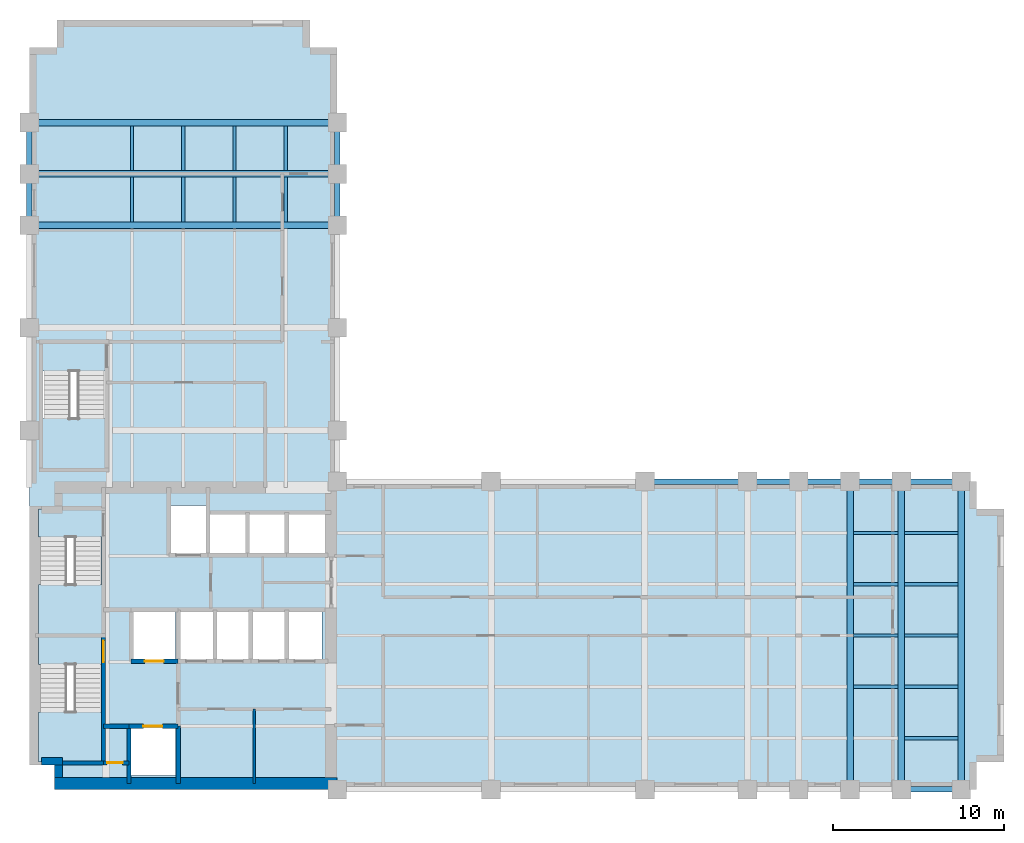
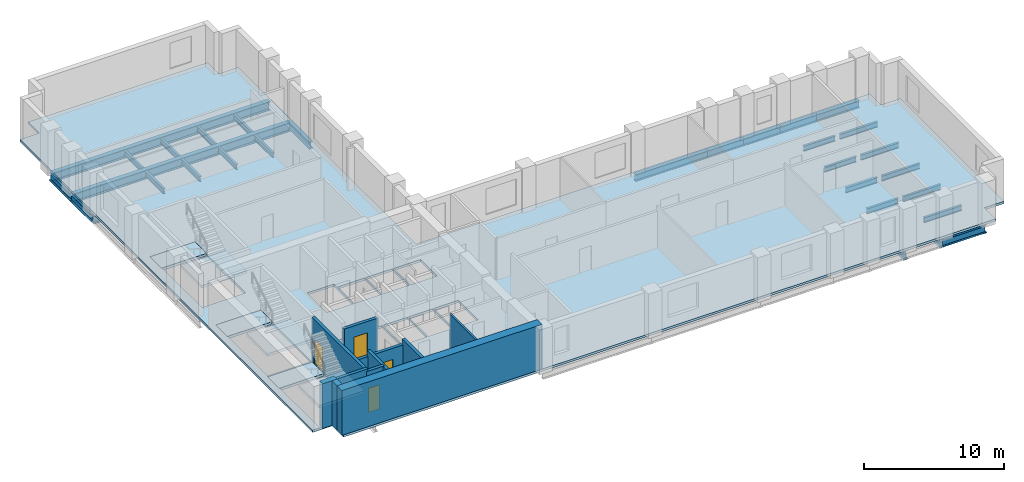
# One storey, part 2 of 7: 33 beams, 12 walls, 7 slabs, 4 doors, 4 openings, 3 elements without a shape of their own.
"""IFC4 building model written with IfcOpenShell, lengths in metres."""

from ifc_helpers import new_model, si_unit, direction, frame, frame_2d, origin, origin_2d, place, context, subcontext, project, spatial, polyline, rectangle, i_section, outline, extrude, material, layer, layer_set, material_profile, profile_set, type_object, element, fill, aggregate, save


model = new_model("IFC4")

# Units and contexts
model_context = context("Model", 3, precision=1e-05, world=origin(), true_north=direction((0.0, 1.0)))
body_context = subcontext(model_context, "Body", "Model", "MODEL_VIEW")
ifc_project = project(units=[si_unit("LENGTHUNIT", "METRE"), si_unit("AREAUNIT", "SQUARE_METRE"), si_unit("VOLUMEUNIT", "CUBIC_METRE"), si_unit("PLANEANGLEUNIT", "RADIAN"), si_unit("MASSUNIT", "GRAM", prefix="KILO")], contexts=[model_context])

# Site, building, storey
site_placement = place(None, origin())
site = spatial("IfcSite", under=ifc_project, at=site_placement, CompositionType="ELEMENT")
building_placement = place(site_placement, origin())
building = spatial("IfcBuilding", under=site, at=building_placement, Name="Mawjdan Bourse Tower", CompositionType="ELEMENT")
storey_placement = place(building_placement, frame((0.0, 0.0, 108.89990234375)))
storey = spatial("IfcBuildingStorey", under=building, at=storey_placement, Name="L25", CompositionType="ELEMENT", Elevation=108.89990234375)

# Beams
ifc_material_1 = material(Name="Structural Steel S355", Category="steel")
ifc_material_profile_1 = material_profile(ifc_material_1, i_section(OverallWidth=0.381103515625, OverallDepth=0.77294921875, WebThickness=0.0166015625, FlangeThickness=0.027099609375, FilletRadius=0.021728515625, at=origin_2d()), Name="W30X173")
ifc_profile_set_1 = profile_set([ifc_material_profile_1], Name="Structural Steel S355")
beam_type_1 = type_object("IfcBeamType", Name="GRD-W30X173", PredefinedType="BEAM", material=ifc_profile_set_1)
for number, where, z_axis, x_axis, name in (
    (1, (54.0, 3.0, -0.58642578125), (0.0, 1.0, 0.0), (-1.0, 0.0, 0.0), "L25 East Wing Clear-Span Girder 006"),
    (2, (57.0, 3.0, -0.58642578125), (0.0, 1.0, 0.0), (-1.0, 0.0, 0.0), "L25 East Wing Clear-Span Girder 007"),
    (3, (60.5, 3.0, -0.58642578125), (0.0, 1.0, 0.0), (-1.0, 0.0, 0.0), "L25 East Wing Clear-Span Girder 008"),
    (4, (6.0, 36.0, -0.58642578125), (1.0, 0.0, 0.0), (0.0, 1.0, 0.0), "L25 North Wing Clear-Span Girder 065"),
    (5, (6.0, 39.0, -0.58642578125), (1.0, 0.0, 0.0), (0.0, 1.0, 0.0), "L25 North Wing Clear-Span Girder 066"),
    (6, (6.0, 42.0, -0.58642578125), (1.0, 0.0, 0.0), (0.0, 1.0, 0.0), "L25 North Wing Clear-Span Girder 067"),
):
    element("IfcBeam", number, at=place(storey_placement, frame(where, z_axis=z_axis, x_axis=x_axis)), inside=storey, type_object=beam_type_1, Name=name, PredefinedType="BEAM", context=body_context, shape_type="SweptSolid", body=[
        extrude(i_section(OverallWidth=0.381103515625, OverallDepth=0.77294921875, WebThickness=0.0166015625, FlangeThickness=0.027099609375, FilletRadius=0.021728515625, at=origin_2d()), origin(), (0.0, 0.0, 1.0), 18.0),
    ])
ifc_material_profile_2 = material_profile(ifc_material_1, i_section(OverallWidth=0.19189453125, OverallDepth=0.462890625, WebThickness=0.010498046875, FlangeThickness=0.017578125, FilletRadius=0.01416015625, at=origin_2d()), Name="W18X60")
ifc_profile_set_2 = profile_set([ifc_material_profile_2], Name="Structural Steel S355")
beam_type_2 = type_object("IfcBeamType", Name="JST-W18X60", PredefinedType="JOIST", material=ifc_profile_set_2)
beam_1_placement = place(storey_placement, frame((57.1884765625, 6.0, -0.431396484375), z_axis=(1.0, 0.0, 0.0), x_axis=(0.0, 1.0, 0.0)))
element("IfcBeam", 7, at=beam_1_placement, inside=storey, type_object=beam_type_2, Name="L25 East Wing Composite Joist 029", PredefinedType="JOIST", context=body_context, shape_type="SweptSolid", body=[
    extrude(i_section(OverallWidth=0.19189453125, OverallDepth=0.462890625, WebThickness=0.010498046875, FlangeThickness=0.017578125, FilletRadius=0.01416015625, at=origin_2d()), origin(), (0.0, 0.0, 1.0), 3.123046875),
])
beam_2_placement = place(storey_placement, frame((54.1884765625, 9.0, -0.431396484375), z_axis=(1.0, 0.0, 0.0), x_axis=(0.0, 1.0, 0.0)))
element("IfcBeam", 8, at=beam_2_placement, inside=storey, type_object=beam_type_2, Name="L25 East Wing Composite Joist 035", PredefinedType="JOIST", context=body_context, shape_type="SweptSolid", body=[
    extrude(i_section(OverallWidth=0.19189453125, OverallDepth=0.462890625, WebThickness=0.010498046875, FlangeThickness=0.017578125, FilletRadius=0.01416015625, at=origin_2d()), origin(), (0.0, 0.0, 1.0), 2.623046875),
])
beam_3_placement = place(storey_placement, frame((57.1884765625, 9.0, -0.431396484375), z_axis=(1.0, 0.0, 0.0), x_axis=(0.0, 1.0, 0.0)))
element("IfcBeam", 9, at=beam_3_placement, inside=storey, type_object=beam_type_2, Name="L25 East Wing Composite Joist 036", PredefinedType="JOIST", context=body_context, shape_type="SweptSolid", body=[
    extrude(i_section(OverallWidth=0.19189453125, OverallDepth=0.462890625, WebThickness=0.010498046875, FlangeThickness=0.017578125, FilletRadius=0.01416015625, at=origin_2d()), origin(), (0.0, 0.0, 1.0), 3.123046875),
])
beam_4_placement = place(storey_placement, frame((54.1884765625, 12.0, -0.431396484375), z_axis=(1.0, 0.0, 0.0), x_axis=(0.0, 1.0, 0.0)))
element("IfcBeam", 10, at=beam_4_placement, inside=storey, type_object=beam_type_2, Name="L25 East Wing Composite Joist 042", PredefinedType="JOIST", context=body_context, shape_type="SweptSolid", body=[
    extrude(i_section(OverallWidth=0.19189453125, OverallDepth=0.462890625, WebThickness=0.010498046875, FlangeThickness=0.017578125, FilletRadius=0.01416015625, at=origin_2d()), origin(), (0.0, 0.0, 1.0), 2.623046875),
])
beam_5_placement = place(storey_placement, frame((57.1884765625, 12.0, -0.431396484375), z_axis=(1.0, 0.0, 0.0), x_axis=(0.0, 1.0, 0.0)))
element("IfcBeam", 11, at=beam_5_placement, inside=storey, type_object=beam_type_2, Name="L25 East Wing Composite Joist 043", PredefinedType="JOIST", context=body_context, shape_type="SweptSolid", body=[
    extrude(i_section(OverallWidth=0.19189453125, OverallDepth=0.462890625, WebThickness=0.010498046875, FlangeThickness=0.017578125, FilletRadius=0.01416015625, at=origin_2d()), origin(), (0.0, 0.0, 1.0), 3.123046875),
])
beam_6_placement = place(storey_placement, frame((54.1884765625, 15.0, -0.431396484375), z_axis=(1.0, 0.0, 0.0), x_axis=(0.0, 1.0, 0.0)))
element("IfcBeam", 12, at=beam_6_placement, inside=storey, type_object=beam_type_2, Name="L25 East Wing Composite Joist 049", PredefinedType="JOIST", context=body_context, shape_type="SweptSolid", body=[
    extrude(i_section(OverallWidth=0.19189453125, OverallDepth=0.462890625, WebThickness=0.010498046875, FlangeThickness=0.017578125, FilletRadius=0.01416015625, at=origin_2d()), origin(), (0.0, 0.0, 1.0), 2.623046875),
])
beam_7_placement = place(storey_placement, frame((57.1884765625, 15.0, -0.431396484375), z_axis=(1.0, 0.0, 0.0), x_axis=(0.0, 1.0, 0.0)))
element("IfcBeam", 13, at=beam_7_placement, inside=storey, type_object=beam_type_2, Name="L25 East Wing Composite Joist 050", PredefinedType="JOIST", context=body_context, shape_type="SweptSolid", body=[
    extrude(i_section(OverallWidth=0.19189453125, OverallDepth=0.462890625, WebThickness=0.010498046875, FlangeThickness=0.017578125, FilletRadius=0.01416015625, at=origin_2d()), origin(), (0.0, 0.0, 1.0), 3.123046875),
])
beam_8_placement = place(storey_placement, frame((54.1884765625, 18.0, -0.431396484375), z_axis=(1.0, 0.0, 0.0), x_axis=(0.0, 1.0, 0.0)))
element("IfcBeam", 14, at=beam_8_placement, inside=storey, type_object=beam_type_2, Name="L25 East Wing Composite Joist 056", PredefinedType="JOIST", context=body_context, shape_type="SweptSolid", body=[
    extrude(i_section(OverallWidth=0.19189453125, OverallDepth=0.462890625, WebThickness=0.010498046875, FlangeThickness=0.017578125, FilletRadius=0.01416015625, at=origin_2d()), origin(), (0.0, 0.0, 1.0), 2.623046875),
])
beam_9_placement = place(storey_placement, frame((57.1884765625, 18.0, -0.431396484375), z_axis=(1.0, 0.0, 0.0), x_axis=(0.0, 1.0, 0.0)))
element("IfcBeam", 15, at=beam_9_placement, inside=storey, type_object=beam_type_2, Name="L25 East Wing Composite Joist 057", PredefinedType="JOIST", context=body_context, shape_type="SweptSolid", body=[
    extrude(i_section(OverallWidth=0.19189453125, OverallDepth=0.462890625, WebThickness=0.010498046875, FlangeThickness=0.017578125, FilletRadius=0.01416015625, at=origin_2d()), origin(), (0.0, 0.0, 1.0), 3.123046875),
])
for number, where, z_axis, x_axis, name in (
    (16, (12.0, 36.1884765625, -0.431396484375), (0.0, 1.0, 0.0), (-1.0, 0.0, 0.0), "L25 North Wing Composite Joist 081"),
    (17, (12.0, 39.1884765625, -0.431396484375), (0.0, 1.0, 0.0), (-1.0, 0.0, 0.0), "L25 North Wing Composite Joist 082"),
    (18, (15.0, 36.1884765625, -0.431396484375), (0.0, 1.0, 0.0), (-1.0, 0.0, 0.0), "L25 North Wing Composite Joist 086"),
    (19, (15.0, 39.1884765625, -0.431396484375), (0.0, 1.0, 0.0), (-1.0, 0.0, 0.0), "L25 North Wing Composite Joist 087"),
    (20, (18.0, 36.1884765625, -0.431396484375), (0.0, 1.0, 0.0), (-1.0, 0.0, 0.0), "L25 North Wing Composite Joist 091"),
    (21, (18.0, 39.1884765625, -0.431396484375), (0.0, 1.0, 0.0), (-1.0, 0.0, 0.0), "L25 North Wing Composite Joist 092"),
    (22, (21.0, 36.1884765625, -0.431396484375), (0.0, 1.0, 0.0), (-1.0, 0.0, 0.0), "L25 North Wing Composite Joist 096"),
    (23, (21.0, 39.1884765625, -0.431396484375), (0.0, 1.0, 0.0), (-1.0, 0.0, 0.0), "L25 North Wing Composite Joist 097"),
):
    element("IfcBeam", number, at=place(storey_placement, frame(where, z_axis=z_axis, x_axis=x_axis)), inside=storey, type_object=beam_type_2, Name=name, PredefinedType="JOIST", context=body_context, shape_type="SweptSolid", body=[
        extrude(i_section(OverallWidth=0.19189453125, OverallDepth=0.462890625, WebThickness=0.010498046875, FlangeThickness=0.017578125, FilletRadius=0.01416015625, at=origin_2d()), origin(), (0.0, 0.0, 1.0), 2.623046875),
    ])
ifc_material_profile_3 = material_profile(ifc_material_1, i_section(OverallWidth=0.324951171875, OverallDepth=0.616943359375, WebThickness=0.013916015625, FlangeThickness=0.021484375, FilletRadius=0.017333984375, at=origin_2d()), Name="W24X117")
ifc_profile_set_3 = profile_set([ifc_material_profile_3], Name="Structural Steel S355")
beam_type_3 = type_object("IfcBeamType", Name="SPN-W24X117", PredefinedType="SPANDREL", material=ifc_profile_set_3)
beam_10_placement = place(storey_placement, frame((57.0, 3.0, -0.50830078125), z_axis=(1.0, 0.0, 0.0), x_axis=(0.0, 1.0, 0.0)))
element("IfcBeam", 24, at=beam_10_placement, inside=storey, type_object=beam_type_3, Name="L25 Perimeter Masonry-Shelf Spandrel 015", PredefinedType="SPANDREL", context=body_context, shape_type="SweptSolid", body=[
    extrude(i_section(OverallWidth=0.324951171875, OverallDepth=0.616943359375, WebThickness=0.013916015625, FlangeThickness=0.021484375, FilletRadius=0.017333984375, at=origin_2d()), origin(), (0.0, 0.0, 1.0), 3.5),
])
beam_11_placement = place(storey_placement, frame((42.0, 21.0, -0.50830078125), z_axis=(1.0, 0.0, 0.0), x_axis=(0.0, 1.0, 0.0)))
element("IfcBeam", 25, at=beam_11_placement, inside=storey, type_object=beam_type_3, Name="L25 Perimeter Masonry-Shelf Spandrel 018", PredefinedType="SPANDREL", context=body_context, shape_type="SweptSolid", body=[
    extrude(i_section(OverallWidth=0.324951171875, OverallDepth=0.616943359375, WebThickness=0.013916015625, FlangeThickness=0.021484375, FilletRadius=0.017333984375, at=origin_2d()), origin(), (0.0, 0.0, 1.0), 6.0),
])
for number, where, z_axis, x_axis, name in (
    (26, (48.0, 21.0, -0.50830078125), (1.0, 0.0, 0.0), (0.0, 1.0, 0.0), "L25 Perimeter Masonry-Shelf Spandrel 019"),
    (27, (51.0, 21.0, -0.50830078125), (1.0, 0.0, 0.0), (0.0, 1.0, 0.0), "L25 Perimeter Masonry-Shelf Spandrel 020"),
    (28, (54.0, 21.0, -0.50830078125), (1.0, 0.0, 0.0), (0.0, 1.0, 0.0), "L25 Perimeter Masonry-Shelf Spandrel 021"),
):
    element("IfcBeam", number, at=place(storey_placement, frame(where, z_axis=z_axis, x_axis=x_axis)), inside=storey, type_object=beam_type_3, Name=name, PredefinedType="SPANDREL", context=body_context, shape_type="SweptSolid", body=[
        extrude(i_section(OverallWidth=0.324951171875, OverallDepth=0.616943359375, WebThickness=0.013916015625, FlangeThickness=0.021484375, FilletRadius=0.017333984375, at=origin_2d()), origin(), (0.0, 0.0, 1.0), 3.0),
    ])
beam_12_placement = place(storey_placement, frame((57.0, 21.0, -0.50830078125), z_axis=(1.0, 0.0, 0.0), x_axis=(0.0, 1.0, 0.0)))
element("IfcBeam", 29, at=beam_12_placement, inside=storey, type_object=beam_type_3, Name="L25 Perimeter Masonry-Shelf Spandrel 022", PredefinedType="SPANDREL", context=body_context, shape_type="SweptSolid", body=[
    extrude(i_section(OverallWidth=0.324951171875, OverallDepth=0.616943359375, WebThickness=0.013916015625, FlangeThickness=0.021484375, FilletRadius=0.017333984375, at=origin_2d()), origin(), (0.0, 0.0, 1.0), 3.5),
])
for number, where, z_axis, x_axis, name in (
    (30, (6.0, 36.0, -0.50830078125), (0.0, 1.0, 0.0), (-1.0, 0.0, 0.0), "L25 North Wing Spandrel 071"),
    (31, (6.0, 39.0, -0.50830078125), (0.0, 1.0, 0.0), (-1.0, 0.0, 0.0), "L25 North Wing Spandrel 072"),
    (32, (24.0, 36.0, -0.50830078125), (0.0, 1.0, 0.0), (-1.0, 0.0, 0.0), "L25 North Wing Spandrel 076"),
    (33, (24.0, 39.0, -0.50830078125), (0.0, 1.0, 0.0), (-1.0, 0.0, 0.0), "L25 North Wing Spandrel 077"),
):
    element("IfcBeam", number, at=place(storey_placement, frame(where, z_axis=z_axis, x_axis=x_axis)), inside=storey, type_object=beam_type_3, Name=name, PredefinedType="SPANDREL", context=body_context, shape_type="SweptSolid", body=[
        extrude(i_section(OverallWidth=0.324951171875, OverallDepth=0.616943359375, WebThickness=0.013916015625, FlangeThickness=0.021484375, FilletRadius=0.017333984375, at=origin_2d()), origin(), (0.0, 0.0, 1.0), 3.0),
    ])

# Stair, slabs
ifc_material_2 = material(Name="Concrete C50/60", Category="concrete")
stair_type = type_object("IfcStairType", Name="STR-CORE-1500", PredefinedType="HALF_TURN_STAIR", material=ifc_material_2)
stair_1_placement = place(storey_placement, origin())
stair_1 = element("IfcStair", 34, at=stair_1_placement, inside=storey, type_object=stair_type, Name="L25 Exit Stair 1 (Core South-West)", PredefinedType="HALF_TURN_STAIR")
ifc_layer_1 = layer(ifc_material_2, 0.22998046875)
ifc_layer_set_1 = layer_set([ifc_layer_1], Name="Concrete C50/60")
slab_type_1 = type_object("IfcSlabType", Name="SL-LND-230", PredefinedType="LANDING", material=ifc_layer_set_1)
slab_1_placement = place(storey_placement, frame((0.0, 0.0, -0.22998046875)))
slab_1 = element("IfcSlab", 35, at=slab_1_placement, type_object=slab_type_1, Name="ST1-L25 landing 1", PredefinedType="LANDING", context=body_context, shape_type="SweptSolid", body=[
    extrude(outline(polyline([(6.5400390625, 10.31005859375), (10.260009765625, 10.31005859375), (10.260009765625, 11.969970703125), (6.5400390625, 11.969970703125), (6.5400390625, 10.31005859375)])), origin(), (0.0, 0.0, 1.0), 0.22998046875),
])
slab_2_placement = place(storey_placement, frame((0.0, 0.0, 1.72021484375)))
slab_2 = element("IfcSlab", 36, at=slab_2_placement, type_object=slab_type_1, Name="ST1-L25 landing 2", PredefinedType="LANDING", context=body_context, shape_type="SweptSolid", body=[
    extrude(outline(polyline([(6.5400390625, 4.590087890625), (10.260009765625, 4.590087890625), (10.260009765625, 7.5400390625), (6.5400390625, 7.5400390625), (6.5400390625, 4.590087890625)])), origin(), (0.0, 0.0, 1.0), 0.22998046875),
])
aggregate(stair_1, [slab_1, slab_2])

stair_2_placement = place(storey_placement, origin())
stair_2 = element("IfcStair", 37, at=stair_2_placement, inside=storey, type_object=stair_type, Name="L25 Exit Stair 2 (Core North-West)", PredefinedType="HALF_TURN_STAIR")
slab_3_placement = place(storey_placement, frame((0.0, 0.0, -0.22998046875)))
slab_3 = element("IfcSlab", 38, at=slab_3_placement, type_object=slab_type_1, Name="ST2-L25 landing 1", PredefinedType="LANDING", context=body_context, shape_type="SweptSolid", body=[
    extrude(outline(polyline([(6.5400390625, 17.75), (10.260009765625, 17.75), (10.260009765625, 19.409912109375), (6.5400390625, 19.409912109375), (6.5400390625, 17.75)])), origin(), (0.0, 0.0, 1.0), 0.22998046875),
])
slab_4_placement = place(storey_placement, frame((0.0, 0.0, 1.72021484375)))
slab_4 = element("IfcSlab", 39, at=slab_4_placement, type_object=slab_type_1, Name="ST2-L25 landing 2", PredefinedType="LANDING", context=body_context, shape_type="SweptSolid", body=[
    extrude(outline(polyline([(6.5400390625, 12.030029296875), (10.260009765625, 12.030029296875), (10.260009765625, 14.97998046875), (6.5400390625, 14.97998046875), (6.5400390625, 12.030029296875)])), origin(), (0.0, 0.0, 1.0), 0.22998046875),
])
aggregate(stair_2, [slab_3, slab_4])

stair_3_placement = place(storey_placement, origin())
stair_3 = element("IfcStair", 40, at=stair_3_placement, inside=storey, type_object=stair_type, Name="L25 Exit Stair 3 (North Wing)", PredefinedType="HALF_TURN_STAIR")
slab_5_placement = place(storey_placement, frame((0.0, 0.0, -0.22998046875)))
slab_5 = element("IfcSlab", 41, at=slab_5_placement, type_object=slab_type_1, Name="ST3-L25 landing 1", PredefinedType="LANDING", context=body_context, shape_type="SweptSolid", body=[
    extrude(outline(polyline([(6.739990234375, 27.4599609375), (10.4599609375, 27.4599609375), (10.4599609375, 29.1201171875), (6.739990234375, 29.1201171875), (6.739990234375, 27.4599609375)])), origin(), (0.0, 0.0, 1.0), 0.22998046875),
])
slab_6_placement = place(storey_placement, frame((0.0, 0.0, 1.72021484375)))
slab_6 = element("IfcSlab", 42, at=slab_6_placement, type_object=slab_type_1, Name="ST3-L25 landing 2", PredefinedType="LANDING", context=body_context, shape_type="SweptSolid", body=[
    extrude(outline(polyline([(6.739990234375, 21.739990234375), (10.4599609375, 21.739990234375), (10.4599609375, 24.68994140625), (6.739990234375, 24.68994140625), (6.739990234375, 21.739990234375)])), origin(), (0.0, 0.0, 1.0), 0.22998046875),
])
aggregate(stair_3, [slab_5, slab_6])

# Slab
ifc_layer_2 = layer(ifc_material_2, 0.199951171875)
ifc_layer_set_2 = layer_set([ifc_layer_2], Name="Concrete C50/60")
slab_type_2 = type_object("IfcSlabType", Name="SL-OFC-200", PredefinedType="FLOOR", material=ifc_layer_set_2)
slab_7_placement = place(storey_placement, frame((0.0, 0.0, -0.199951171875)))
element("IfcSlab", 43, at=slab_7_placement, inside=storey, type_object=slab_type_2, Name="L25 Structural Floor Slab 1", PredefinedType="FLOOR", context=body_context, shape_type="SweptSolid", body=[
    extrude(outline(polyline([(7.60009765625, 3.0), (61.39990234375, 3.0), (61.39990234375, 4.60009765625), (63.0, 4.60009765625), (63.0, 19.39990234375), (61.39990234375, 19.39990234375), (61.39990234375, 21.0), (24.0, 21.0), (24.0, 46.39990234375), (22.39990234375, 46.39990234375), (22.39990234375, 48.0), (7.60009765625, 48.0), (7.60009765625, 46.39990234375), (6.0, 46.39990234375), (6.0, 4.60009765625), (7.60009765625, 4.60009765625), (7.60009765625, 3.0)]), holes=[polyline([(11.949951171875, 3.800048828125), (11.949951171875, 6.60009765625), (14.550048828125, 6.60009765625), (14.550048828125, 3.800048828125), (11.949951171875, 3.800048828125)]), polyline([(6.60009765625, 10.31005859375), (6.5400390625, 10.31005859375), (6.5400390625, 11.969970703125), (10.260009765625, 11.969970703125), (10.260009765625, 10.31005859375), (10.199951171875, 10.31005859375), (10.199951171875, 4.64990234375), (6.60009765625, 4.64990234375), (6.60009765625, 10.31005859375)]), polyline([(12.050048828125, 10.60009765625), (12.050048828125, 13.39990234375), (14.550048828125, 13.39990234375), (14.550048828125, 10.60009765625), (12.050048828125, 10.60009765625)]), polyline([(10.260009765625, 19.409912109375), (10.260009765625, 17.75), (10.199951171875, 17.75), (10.199951171875, 12.090087890625), (6.60009765625, 12.090087890625), (6.60009765625, 17.75), (6.5400390625, 17.75), (6.5400390625, 19.409912109375), (10.260009765625, 19.409912109375)]), polyline([(10.4599609375, 29.1201171875), (10.4599609375, 27.4599609375), (10.39990234375, 27.4599609375), (10.39990234375, 21.800048828125), (6.800048828125, 21.800048828125), (6.800048828125, 27.4599609375), (6.739990234375, 27.4599609375), (6.739990234375, 29.1201171875), (10.4599609375, 29.1201171875)]), polyline([(14.800048828125, 10.60009765625), (14.800048828125, 13.39990234375), (16.800048828125, 13.39990234375), (16.800048828125, 10.60009765625), (14.800048828125, 10.60009765625)]), polyline([(16.89990234375, 10.60009765625), (16.89990234375, 13.39990234375), (18.89990234375, 13.39990234375), (18.89990234375, 10.60009765625), (16.89990234375, 10.60009765625)]), polyline([(19.0, 10.60009765625), (19.0, 13.39990234375), (21.0, 13.39990234375), (21.0, 10.60009765625), (19.0, 10.60009765625)]), polyline([(21.10009765625, 10.60009765625), (21.10009765625, 13.39990234375), (23.10009765625, 13.39990234375), (23.10009765625, 10.60009765625), (21.10009765625, 10.60009765625)]), polyline([(16.5, 16.800048828125), (16.5, 19.14990234375), (18.699951171875, 19.14990234375), (18.699951171875, 16.800048828125), (16.5, 16.800048828125)]), polyline([(18.800048828125, 16.800048828125), (18.800048828125, 19.14990234375), (21.0, 19.14990234375), (21.0, 16.800048828125), (18.800048828125, 16.800048828125)]), polyline([(21.10009765625, 16.800048828125), (21.10009765625, 19.14990234375), (23.300048828125, 19.14990234375), (23.300048828125, 16.800048828125), (21.10009765625, 16.800048828125)]), polyline([(14.199951171875, 16.800048828125), (14.199951171875, 19.60009765625), (16.39990234375, 19.60009765625), (16.39990234375, 16.800048828125), (14.199951171875, 16.800048828125)])]), origin(), (0.0, 0.0, 1.0), 0.199951171875),
])

# Walls
ifc_material_3 = material(Name="Concrete C60/75", Category="concrete")
ifc_layer_3 = layer(ifc_material_3, 0.449951171875)
ifc_layer_set_3 = layer_set([ifc_layer_3], Name="Concrete C60/75")
wall_type_1 = type_object("IfcWallType", Name="WL-CORE-450", PredefinedType="SHEAR", material=ifc_layer_set_3)
wall_1_placement = place(storey_placement, frame((6.699951171875, 4.64990234375, 0.0), z_axis=(0.0, 0.0, 1.0), x_axis=(1.0, 0.0, 0.0)))
element("IfcWall", 44, at=wall_1_placement, inside=storey, type_object=wall_type_1, Name="L25 Rear Core Shear Wall SW-X", PredefinedType="SHEAR", context=body_context, shape_type="SweptSolid", body=[
    extrude(rectangle(XDim=1.22509765625, YDim=0.449951171875, at=frame_2d((0.612548828125, 0.0))), origin(), (0.0, 0.0, 1.0), 3.900146484375),
])
wall_2_placement = place(storey_placement, frame((7.699951171875, 3.699951171875, 0.0), z_axis=(0.0, 0.0, 1.0), x_axis=(0.0, 1.0, 0.0)))
element("IfcWall", 45, at=wall_2_placement, inside=storey, type_object=wall_type_1, Name="L25 Rear Core Shear Wall SW-Y", PredefinedType="SHEAR", context=body_context, shape_type="SweptSolid", body=[
    extrude(rectangle(XDim=0.72509765625, YDim=0.449951171875, at=frame_2d((0.362548828125, 0.0))), origin(), (0.0, 0.0, 1.0), 3.900146484375),
])
ifc_material_4 = material(Name="Concrete C70/85", Category="concrete")
ifc_layer_4 = layer(ifc_material_4, 0.699951171875)
ifc_layer_set_4 = layer_set([ifc_layer_4], Name="Concrete C70/85")
wall_type_2 = type_object("IfcWallType", Name="WL-CORE-700", PredefinedType="SHEAR", material=ifc_layer_set_4)
wall_3_placement = place(storey_placement, frame((7.47509765625, 3.35009765625, 0.0), z_axis=(0.0, 0.0, 1.0), x_axis=(1.0, 0.0, 0.0)))
element("IfcWall", 46, at=wall_3_placement, inside=storey, type_object=wall_type_2, Name="L25 Rear Core Shear Wall S", PredefinedType="SHEAR", context=body_context, shape_type="SweptSolid", body=[
    extrude(rectangle(XDim=16.52490234375, YDim=0.699951171875, at=frame_2d((8.262451171875, 0.0))), origin(), (0.0, 0.0, 1.0), 3.900146484375),
])
ifc_material_5 = material(Name="Gypsum Acoustic Partition")
ifc_layer_5 = layer(ifc_material_5, 0.14990234375)
ifc_layer_set_5 = layer_set([ifc_layer_5], Name="Gypsum Acoustic Partition")
wall_type_3 = type_object("IfcWallType", Name="WL-PRT-150", PredefinedType="PARTITIONING", material=ifc_layer_set_5)
wall_4_placement = place(storey_placement, frame((19.14990234375, 3.35009765625, 0.0), z_axis=(0.0, 0.0, 1.0), x_axis=(0.0, 1.0, 0.0)))
element("IfcWall", 47, at=wall_4_placement, inside=storey, type_object=wall_type_3, Name="L25 Document Custody Office Core Split Wall", PredefinedType="PARTITIONING", context=body_context, shape_type="SweptSolid", body=[
    extrude(rectangle(XDim=4.349853515625, YDim=0.14990234375, at=frame_2d((2.1748046875, 0.0))), origin(), (0.0, 0.0, 1.0), 3.690185546875),
])

# Wall, opening, door
ifc_layer_6 = layer(ifc_material_2, 0.25)
ifc_layer_set_6 = layer_set([ifc_layer_6], Name="Concrete C50/60")
wall_type_4 = type_object("IfcWallType", Name="WL-SHFT-250", PredefinedType="PARTITIONING", material=ifc_layer_set_6)
wall_5_placement = place(storey_placement, frame((10.330078125, 4.550048828125, 0.0), z_axis=(0.0, 0.0, 1.0), x_axis=(1.0, 0.0, 0.0)))
wall_5 = element("IfcWall", 48, at=wall_5_placement, inside=storey, type_object=wall_type_4, Name="L25 SW Riser North Wall", PredefinedType="PARTITIONING", context=body_context, shape_type="SweptSolid", body=[
    extrude(rectangle(XDim=1.489990234375, YDim=0.25, at=frame_2d((0.7451171875, 0.0))), origin(), (0.0, 0.0, 1.0), 3.690185546875),
])
opening_1_placement = place(wall_5_placement, frame((0.219970703125, 0.0, 0.0)))
opening_1 = element("IfcOpeningElement", 49, at=opening_1_placement, cuts=wall_5, Name="Opening RD-L25-03", PredefinedType="OPENING", context=body_context, shape_type="SweptSolid", body=[
    extrude(rectangle(XDim=0.89990234375, YDim=2.10009765625, at=frame_2d((0.449951171875, 1.050048828125))), frame((0.0, 0.135009765625, 0.0), z_axis=(0.0, -1.0, 0.0), x_axis=(1.0, 0.0, 0.0)), (0.0, 0.0, 1.0), 0.27001953125),
])
ifc_material_6 = material(Name="Fire-Rated Steel Access Leaf", Category="steel")
door_type_1 = type_object("IfcDoorType", Name="FD-RSR-0900", OperationType="NOTDEFINED", PredefinedType="TRAPDOOR", material=ifc_material_6)
door_1_placement = place(opening_1_placement, origin())
door_1 = element("IfcDoor", 50, at=door_1_placement, inside=storey, type_object=door_type_1, Name="L25 Electrical Riser Access Door RD-L25-03", OperationType="SINGLE_SWING_RIGHT", OverallHeight=2.10009765625, OverallWidth=0.89990234375, PredefinedType="TRAPDOOR", context=body_context, shape_type="SweptSolid", body=[
    extrude(rectangle(XDim=0.89990234375, YDim=2.10009765625, at=frame_2d((0.449951171875, 1.050048828125))), frame((0.0, 0.02490234375, 0.0), z_axis=(0.0, -1.0, 0.0), x_axis=(1.0, 0.0, 0.0)), (0.0, 0.0, 1.0), 0.050048828125),
])
fill(opening_1, door_1)

# Wall
wall_6_placement = place(storey_placement, frame((11.820068359375, 3.35009765625, 0.0), z_axis=(0.0, 0.0, 1.0), x_axis=(0.0, 1.0, 0.0)))
element("IfcWall", 51, at=wall_6_placement, inside=storey, type_object=wall_type_4, Name="L25 SW Riser & FFL01 West Wall", PredefinedType="PARTITIONING", context=body_context, shape_type="SweptSolid", body=[
    extrude(rectangle(XDim=3.349853515625, YDim=0.25, at=frame_2d((1.6748046875, 0.0))), origin(), (0.0, 0.0, 1.0), 3.690185546875),
])

# Wall, opening, door
wall_7_placement = place(storey_placement, frame((11.820068359375, 6.699951171875, 0.0), z_axis=(0.0, 0.0, 1.0), x_axis=(1.0, 0.0, 0.0)))
wall_7 = element("IfcWall", 52, at=wall_7_placement, inside=storey, type_object=wall_type_4, Name="L25 FFL-01 Front Shaft Wall", PredefinedType="PARTITIONING", context=body_context, shape_type="SweptSolid", body=[
    extrude(rectangle(XDim=2.8798828125, YDim=0.25, at=frame_2d((1.43994140625, 0.0))), origin(), (0.0, 0.0, 1.0), 3.22705078125),
])
opening_2_placement = place(wall_7_placement, frame((0.85009765625, 0.0, 0.0)))
opening_2 = element("IfcOpeningElement", 53, at=opening_2_placement, cuts=wall_7, Name="Opening LD-L25-05", PredefinedType="OPENING", context=body_context, shape_type="SweptSolid", body=[
    extrude(rectangle(XDim=1.10009765625, YDim=2.25, at=frame_2d((0.550048828125, 1.125))), frame((0.0, 0.135009765625, 0.0), z_axis=(0.0, -1.0, 0.0), x_axis=(1.0, 0.0, 0.0)), (0.0, 0.0, 1.0), 0.27001953125),
])
ifc_material_7 = material(Name="Brushed Stainless Steel", Category="steel")
door_type_2 = type_object("IfcDoorType", Name="LD-FFL-1100", OperationType="DOUBLE_DOOR_SLIDING", PredefinedType="DOOR", material=ifc_material_7)
door_2_placement = place(opening_2_placement, origin())
door_2 = element("IfcDoor", 54, at=door_2_placement, inside=storey, type_object=door_type_2, Name="L25 Firefighting Lift FFL-01 Landing Door LD-L25-05", OperationType="DOUBLE_DOOR_SLIDING", OverallHeight=2.25, OverallWidth=1.10009765625, PredefinedType="DOOR", context=body_context, shape_type="SweptSolid", body=[
    extrude(rectangle(XDim=1.10009765625, YDim=2.25, at=frame_2d((0.550048828125, 1.125))), frame((0.0, 0.02490234375, 0.0), z_axis=(0.0, -1.0, 0.0), x_axis=(1.0, 0.0, 0.0)), (0.0, 0.0, 1.0), 0.050048828125),
])
fill(opening_2, door_2)

# Wall
wall_8_placement = place(storey_placement, frame((14.699951171875, 3.35009765625, 0.0), z_axis=(0.0, 0.0, 1.0), x_axis=(0.0, 1.0, 0.0)))
element("IfcWall", 55, at=wall_8_placement, inside=storey, type_object=wall_type_4, Name="L25 FFL-01 East Shaft Wall", PredefinedType="PARTITIONING", context=body_context, shape_type="SweptSolid", body=[
    extrude(rectangle(XDim=3.349853515625, YDim=0.25, at=frame_2d((1.6748046875, 0.0))), origin(), (0.0, 0.0, 1.0), 3.690185546875),
])

# Wall, opening, door
wall_9_placement = place(storey_placement, frame((11.949951171875, 10.5, 0.0), z_axis=(0.0, 0.0, 1.0), x_axis=(1.0, 0.0, 0.0)))
wall_9 = element("IfcWall", 56, at=wall_9_placement, inside=storey, type_object=wall_type_4, Name="L25 FFL-02 Front Shaft Wall", PredefinedType="PARTITIONING", context=body_context, shape_type="SweptSolid", body=[
    extrude(rectangle(XDim=2.75, YDim=0.25, at=frame_2d((1.375, 0.0))), origin(), (0.0, 0.0, 1.0), 3.22705078125),
])
opening_3_placement = place(wall_9_placement, frame((0.800048828125, 0.0, 0.0)))
opening_3 = element("IfcOpeningElement", 57, at=opening_3_placement, cuts=wall_9, Name="Opening LD-L25-06", PredefinedType="OPENING", context=body_context, shape_type="SweptSolid", body=[
    extrude(rectangle(XDim=1.10009765625, YDim=2.25, at=frame_2d((0.550048828125, 1.125))), frame((0.0, 0.135009765625, 0.0), z_axis=(0.0, -1.0, 0.0), x_axis=(1.0, 0.0, 0.0)), (0.0, 0.0, 1.0), 0.27001953125),
])
door_3_placement = place(opening_3_placement, origin())
door_3 = element("IfcDoor", 58, at=door_3_placement, inside=storey, type_object=door_type_2, Name="L25 Firefighting Lift FFL-02 Landing Door LD-L25-06", OperationType="DOUBLE_DOOR_SLIDING", OverallHeight=2.25, OverallWidth=1.10009765625, PredefinedType="DOOR", context=body_context, shape_type="SweptSolid", body=[
    extrude(rectangle(XDim=1.10009765625, YDim=2.25, at=frame_2d((0.550048828125, 1.125))), frame((0.0, 0.02490234375, 0.0), z_axis=(0.0, -1.0, 0.0), x_axis=(1.0, 0.0, 0.0)), (0.0, 0.0, 1.0), 0.050048828125),
])
fill(opening_3, door_3)

# Walls
wall_10_placement = place(storey_placement, frame((10.330078125, 6.699951171875, 0.0), z_axis=(0.0, 0.0, 1.0), x_axis=(1.0, 0.0, 0.0)))
element("IfcWall", 59, at=wall_10_placement, inside=storey, type_object=wall_type_4, Name="L25 Firefighting Lobby South Closure Wall", PredefinedType="PARTITIONING", context=body_context, shape_type="SweptSolid", body=[
    extrude(rectangle(XDim=1.489990234375, YDim=0.25, at=frame_2d((0.7451171875, 0.0))), origin(), (0.0, 0.0, 1.0), 3.22705078125),
])
ifc_layer_7 = layer(ifc_material_2, 0.25)
ifc_layer_set_7 = layer_set([ifc_layer_7], Name="Concrete C50/60")
wall_type_5 = type_object("IfcWallType", Name="WL-STRW-250", PredefinedType="SHEAR", material=ifc_layer_set_7)
wall_11_placement = place(storey_placement, frame((7.699951171875, 4.550048828125, 0.0), z_axis=(0.0, 0.0, 1.0), x_axis=(1.0, 0.0, 0.0)))
element("IfcWall", 60, at=wall_11_placement, inside=storey, type_object=wall_type_5, Name="L25 Stairwell ST1 South Shaft Wall", PredefinedType="SHEAR", context=body_context, shape_type="SweptSolid", body=[
    extrude(rectangle(XDim=2.755126953125, YDim=0.25, at=frame_2d((1.37744140625, 0.0))), origin(), (0.0, 0.0, 1.0), 3.900146484375),
])

# Wall, opening, door
wall_12_placement = place(storey_placement, frame((10.330078125, 4.550048828125, 0.0), z_axis=(0.0, 0.0, 1.0), x_axis=(0.0, 1.0, 0.0)))
wall_12 = element("IfcWall", 61, at=wall_12_placement, inside=storey, type_object=wall_type_5, Name="L25 Stairwell ST1 East Enclosure Wall", PredefinedType="SHEAR", context=body_context, shape_type="SweptSolid", body=[
    extrude(rectangle(XDim=7.449951171875, YDim=0.25, at=frame_2d((3.72509765625, 0.0))), origin(), (0.0, 0.0, 1.0), 3.900146484375),
])
opening_4_placement = place(wall_12_placement, frame((5.89990234375, 0.0, 0.0)))
opening_4 = element("IfcOpeningElement", 62, at=opening_4_placement, cuts=wall_12, Name="Opening SD-L25-01", PredefinedType="OPENING", context=body_context, shape_type="SweptSolid", body=[
    extrude(rectangle(XDim=1.25, YDim=2.199951171875, at=frame_2d((0.625, 1.10009765625))), frame((0.0, 0.135009765625, 0.0), z_axis=(0.0, -1.0, 0.0), x_axis=(1.0, 0.0, 0.0)), (0.0, 0.0, 1.0), 0.27001953125),
])
ifc_material_8 = material(Name="Fire-Rated Steel Leaf", Category="steel")
door_type_3 = type_object("IfcDoorType", Name="FD-ST-1250", OperationType="NOTDEFINED", PredefinedType="DOOR", material=ifc_material_8)
door_4_placement = place(opening_4_placement, origin())
door_4 = element("IfcDoor", 63, at=door_4_placement, inside=storey, type_object=door_type_3, Name="L25 Exit Stair ST1 Fire Door SD-L25-01", OperationType="SINGLE_SWING_RIGHT", OverallHeight=2.199951171875, OverallWidth=1.25, PredefinedType="DOOR", context=body_context, shape_type="SweptSolid", body=[
    extrude(rectangle(XDim=1.25, YDim=2.199951171875, at=frame_2d((0.625, 1.10009765625))), frame((0.0, 0.02490234375, 0.0), z_axis=(0.0, -1.0, 0.0), x_axis=(1.0, 0.0, 0.0)), (0.0, 0.0, 1.0), 0.050048828125),
])
fill(opening_4, door_4)

save(model, "model.ifc")
